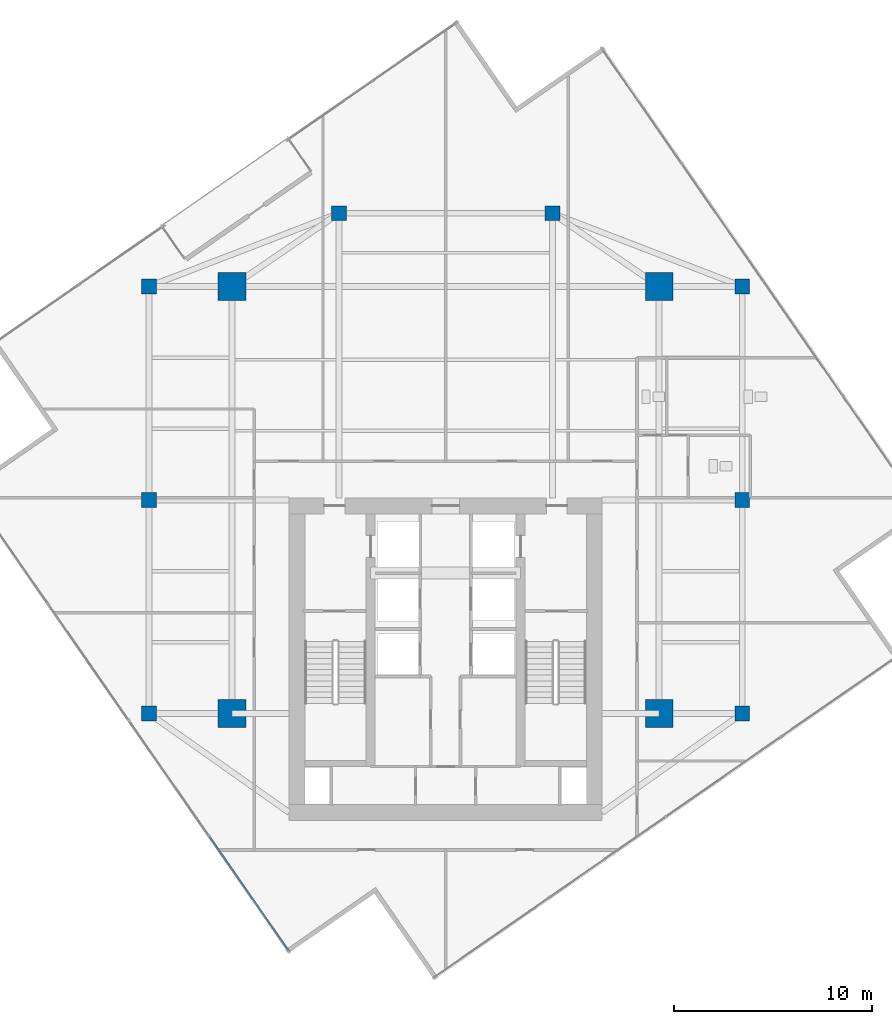
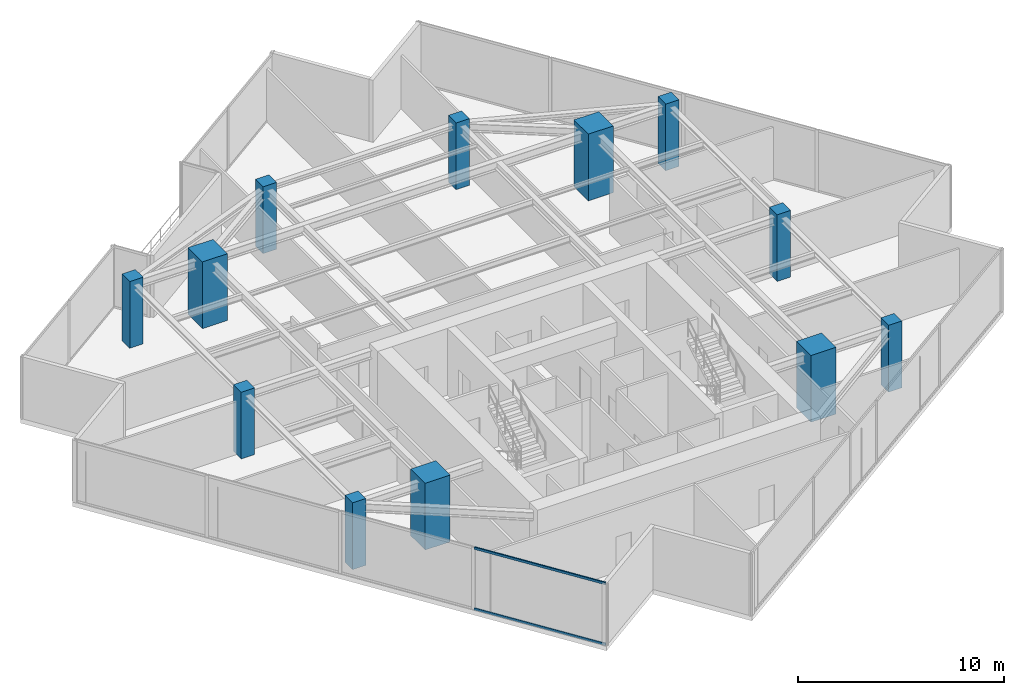
# One storey, part 1 of 21: 12 columns, 2 members, 1 element without a shape of its own.
"""IFC4 building model written with IfcOpenShell, lengths in metres."""

from ifc_helpers import new_model, si_unit, direction, frame, origin, origin_2d, place, context, subcontext, project, spatial, rectangle, hollow_rectangle, extrude, source, transform, mapped, material, material_profile, profile_set, type_object, type_shapes, element, aggregate, save


model = new_model("IFC4")

# Units and contexts
model_context = context("Model", 3, precision=1e-05, world=origin(), true_north=direction((0.0, 1.0)))
body_context = subcontext(model_context, "Body", "Model", "MODEL_VIEW")
ifc_project = project(units=[si_unit("LENGTHUNIT", "METRE"), si_unit("AREAUNIT", "SQUARE_METRE"), si_unit("VOLUMEUNIT", "CUBIC_METRE"), si_unit("PLANEANGLEUNIT", "RADIAN"), si_unit("MASSUNIT", "GRAM", prefix="KILO")], contexts=[model_context])

# Site, building, storey
site_placement = place(None, origin())
site = spatial("IfcSite", under=ifc_project, at=site_placement, CompositionType="ELEMENT")
building_placement = place(site_placement, origin())
building = spatial("IfcBuilding", under=site, at=building_placement, Name="Krantzveldt Concourse Tower", CompositionType="ELEMENT")
storey_placement = place(building_placement, frame((0.0, 0.0, 271.35009765625)))
storey = spatial("IfcBuildingStorey", under=building, at=storey_placement, Name="L66", CompositionType="ELEMENT", Elevation=271.35009765625)

# Columns
ifc_material_1 = material(Name="Concrete C50/60", Category="concrete")
ifc_material_profile_1 = material_profile(ifc_material_1, rectangle(XDim=1.39990234375, YDim=1.39990234375, at=origin_2d()), Name="Concrete C50/60", Category="concrete")
ifc_profile_set_1 = profile_set([ifc_material_profile_1], Name="Concrete C50/60 - RC 1400x1400")
column_type_1 = type_object("IfcColumnType", Name="COL-MC-1400", PredefinedType="USERDEFINED", material=ifc_profile_set_1)
shared_shape_1 = source(origin(), body_context, "Body", "SweptSolid", [
    extrude(rectangle(XDim=1.39990234375, YDim=1.39990234375, at=origin_2d()), origin(), (0.0, 0.0, 1.0), 3.949951171875),
])
type_shapes(column_type_1, [shared_shape_1])
for number, where, z_axis, x_axis, name in (
    (1, (25.199951171875, 15.89990234375, 0.0), (0.0, 0.0, 1.0), (1.0, 0.0, 0.0), "MC-SW-L66"),
    (2, (46.800048828125, 15.89990234375, 0.0), (0.0, 0.0, 1.0), (1.0, 0.0, 0.0), "MC-SE-L66"),
    (3, (46.800048828125, 37.5, 0.0), (0.0, 0.0, 1.0), (1.0, 0.0, 0.0), "MC-NE-L66"),
    (4, (25.199951171875, 37.5, 0.0), (0.0, 0.0, 1.0), (1.0, 0.0, 0.0), "MC-NW-L66"),
):
    element("IfcColumn", number, at=place(storey_placement, frame(where, z_axis=z_axis, x_axis=x_axis)), inside=storey, type_object=column_type_1, Name=name, ObjectType="MEGA COLUMN", PredefinedType="USERDEFINED", context=body_context, shape_type="MappedRepresentation", body=[
        mapped(shared_shape_1, transform((0.0, 0.0, 0.0), x_axis=(1.0, 0.0, 0.0), y_axis=(0.0, 1.0, 0.0), z_axis=(0.0, 0.0, 1.0), scale=1.0)),
    ])
ifc_material_profile_2 = material_profile(ifc_material_1, rectangle(XDim=0.75, YDim=0.75, at=origin_2d()), Name="Concrete C50/60", Category="concrete")
ifc_profile_set_2 = profile_set([ifc_material_profile_2], Name="Concrete C50/60 - RC 750x750")
column_type_2 = type_object("IfcColumnType", Name="COL-C-Z5", PredefinedType="COLUMN", material=ifc_profile_set_2)
shared_shape_2 = source(origin(), body_context, "Body", "SweptSolid", [
    extrude(rectangle(XDim=0.75, YDim=0.75, at=origin_2d()), origin(), (0.0, 0.0, 1.0), 3.949951171875),
])
type_shapes(column_type_2, [shared_shape_2])
for number, where, z_axis, x_axis, name in (
    (5, (21.0, 15.89990234375, 0.0), (0.0, 0.0, 1.0), (1.0, 0.0, 0.0), "PC-R01-L66"),
    (6, (21.0, 26.699951171875, 0.0), (0.0, 0.0, 1.0), (1.0, 0.0, 0.0), "PC-R02-L66"),
    (7, (21.0, 37.5, 0.0), (0.0, 0.0, 1.0), (1.0, 0.0, 0.0), "PC-R03-L66"),
    (8, (30.60009765625, 41.199951171875, 0.0), (0.0, 0.0, 1.0), (1.0, 0.0, 0.0), "PC-R04-L66"),
    (9, (41.39990234375, 41.199951171875, 0.0), (0.0, 0.0, 1.0), (1.0, 0.0, 0.0), "PC-R05-L66"),
    (10, (51.0, 37.5, 0.0), (0.0, 0.0, 1.0), (1.0, 0.0, 0.0), "PC-R06-L66"),
    (11, (51.0, 26.699951171875, 0.0), (0.0, 0.0, 1.0), (1.0, 0.0, 0.0), "PC-R07-L66"),
    (12, (51.0, 15.89990234375, 0.0), (0.0, 0.0, 1.0), (1.0, 0.0, 0.0), "PC-R08-L66"),
):
    element("IfcColumn", number, at=place(storey_placement, frame(where, z_axis=z_axis, x_axis=x_axis)), inside=storey, type_object=column_type_2, Name=name, PredefinedType="COLUMN", context=body_context, shape_type="MappedRepresentation", body=[
        mapped(shared_shape_2, transform((0.0, 0.0, 0.0), x_axis=(1.0, 0.0, 0.0), y_axis=(0.0, 1.0, 0.0), z_axis=(0.0, 0.0, 1.0), scale=1.0)),
    ])

# Curtain wall, members
ifc_material_2 = material(Name="Anodised aluminium 6063-T6", Category="aluminium")
curtain_wall_type = type_object("IfcCurtainWallType", Name="CW4", PredefinedType="USERDEFINED", material=ifc_material_2)
curtain_wall_placement = place(storey_placement, origin())
curtain_wall = element("IfcCurtainWall", 13, at=curtain_wall_placement, inside=storey, type_object=curtain_wall_type, Name="CW-L66-F08", ObjectType="UNITISED CURTAIN WALL", PredefinedType="USERDEFINED")
ifc_material_profile_3 = material_profile(ifc_material_2, hollow_rectangle(XDim=0.070068359375, YDim=0.139892578125, WallThickness=0.0048828125, at=origin_2d()), Name="Anodised aluminium 6063-T6", Category="aluminium")
ifc_profile_set_3 = profile_set([ifc_material_profile_3], Name="Anodised aluminium 6063-T6 - ALU-TRAN 140x70x5")
member_type = type_object("IfcMemberType", Name="CW-TRN-150", PredefinedType="USERDEFINED", material=ifc_profile_set_3)
shared_shape_3 = source(origin(), body_context, "Body", "SweptSolid", [
    extrude(hollow_rectangle(XDim=0.070068359375, YDim=0.139892578125, WallThickness=0.0048828125, at=origin_2d()), origin(), (0.0, 0.0, 1.0), 7.045166015625),
])
type_shapes(member_type, [shared_shape_3])
member_1_placement = place(storey_placement, frame((24.065185546875, 9.67578125, 0.034912109375), z_axis=(0.569991796641, -0.821650382926, 0.0), x_axis=(0.821650382926, 0.569991796641, 0.0)))
member_1 = element("IfcMember", 14, at=member_1_placement, type_object=member_type, Name="CW-Z56 transom 4.1", ObjectType="TRANSOM", PredefinedType="USERDEFINED", context=body_context, shape_type="MappedRepresentation", body=[
    mapped(shared_shape_3, transform((0.0, 0.0, 0.0), x_axis=(1.0, 0.0, 0.0), y_axis=(0.0, 1.0, 0.0), z_axis=(0.0, 0.0, 1.0), scale=1.0)),
])
member_2_placement = place(storey_placement, frame((24.065185546875, 9.67578125, 3.635009765625), z_axis=(0.569991796641, -0.821650382926, 0.0), x_axis=(0.821650382926, 0.569991796641, 0.0)))
member_2 = element("IfcMember", 15, at=member_2_placement, type_object=member_type, Name="CW-Z56 transom 4.2", ObjectType="TRANSOM", PredefinedType="USERDEFINED", context=body_context, shape_type="MappedRepresentation", body=[
    mapped(shared_shape_3, transform((0.0, 0.0, 0.0), x_axis=(1.0, 0.0, 0.0), y_axis=(0.0, 1.0, 0.0), z_axis=(0.0, 0.0, 1.0), scale=1.0)),
])
aggregate(curtain_wall, [member_1, member_2])

save(model, "model.ifc")
